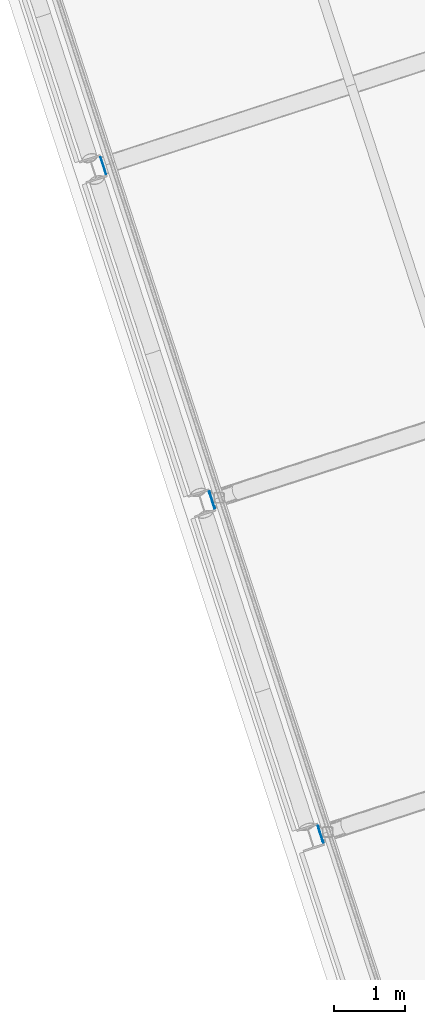
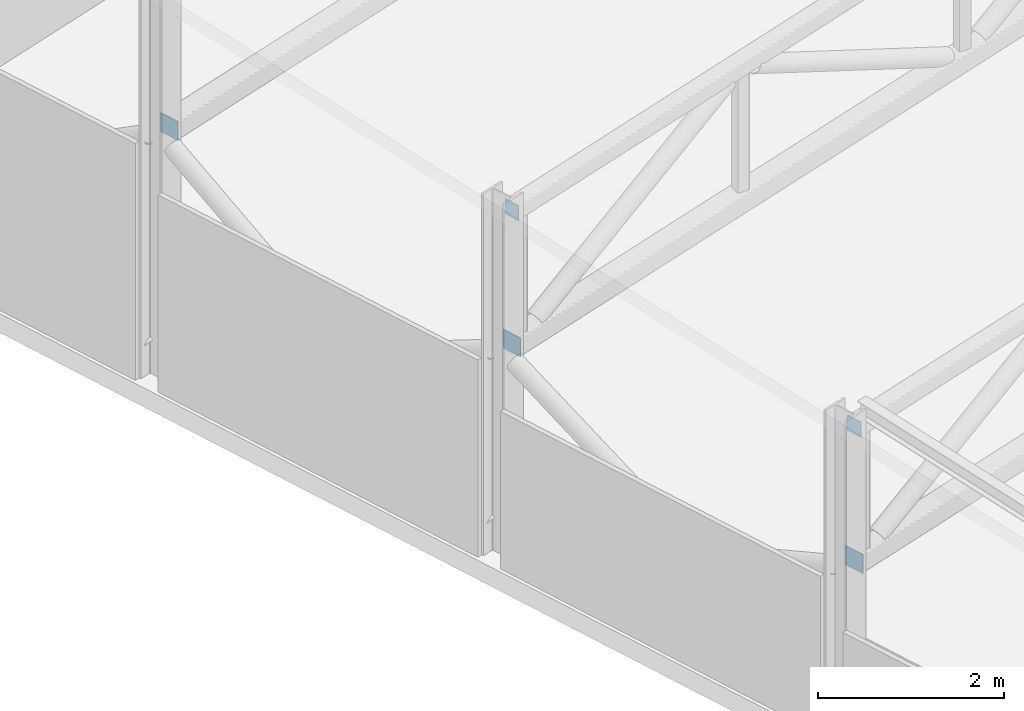
# One storey, part 39 of 49: 5 plates.
"""IFC4 building model written with IfcOpenShell, lengths in metres."""

from ifc_helpers import new_model, si_unit, direction, frame, origin, place, context, subcontext, project, spatial, polyline, outline, extrude, material, layer, layer_set, type_object, element, save


model = new_model("IFC4")

# Units and contexts
model_context = context("Model", 3, precision=1e-05, world=origin(), true_north=direction((0.0, 1.0)))
body_context = subcontext(model_context, "Body", "Model", "MODEL_VIEW")
ifc_project = project(units=[si_unit("LENGTHUNIT", "METRE"), si_unit("AREAUNIT", "SQUARE_METRE"), si_unit("VOLUMEUNIT", "CUBIC_METRE"), si_unit("PLANEANGLEUNIT", "RADIAN"), si_unit("MASSUNIT", "GRAM", prefix="KILO")], contexts=[model_context])

# Site, building, storey
site_placement = place(None, origin())
site = spatial("IfcSite", under=ifc_project, at=site_placement, CompositionType="ELEMENT")
building_placement = place(site_placement, origin())
building = spatial("IfcBuilding", under=site, at=building_placement, Name="Tuart Plaza Theatre", CompositionType="ELEMENT")
storey_placement = place(building_placement, frame((0.0, 0.0, 29.5)))
storey = spatial("IfcBuildingStorey", under=building, at=storey_placement, Name="L07", CompositionType="ELEMENT", Elevation=29.5)

# Plates
ifc_material = material(Name="Steel Grade C350L0", Category="steel")
ifc_layer = layer(ifc_material, 0.010009765625)
ifc_layer_set = layer_set([ifc_layer], Name="PLATE End cap 10 Steel Grade C350L0")
plate_type = type_object("IfcPlateType", Name="PLATE End cap 10 Steel Grade C350L0", PredefinedType="SHEET", material=ifc_layer_set)
plate_1_placement = place(storey_placement, frame((39.93310546875, 73.45361328125, 2.300048828125), z_axis=(-0.951191832008, -0.308600224758, 0.0), x_axis=(-0.308600224758, 0.951191832008, 0.0)))
element("IfcPlate", 1, at=plate_1_placement, inside=storey, type_object=plate_type, Name="EP17", PredefinedType="SHEET", context=body_context, shape_type="SweptSolid", body=[
    extrude(outline(polyline([(0.0, 0.0), (0.2499947547362342, 0.0), (0.2499947547362342, 0.25), (0.0, 0.25), (0.0, 0.0)])), origin(), (0.0, 0.0, -1.0), 0.010009765625),
])
plate_2_placement = place(storey_placement, frame((39.92529296875, 73.477294921875, 4.02490234375), z_axis=(-0.951096855055, -0.308892816854, 0.0), x_axis=(-0.308892816854, 0.951096855055, 0.0)))
element("IfcPlate", 2, at=plate_2_placement, inside=storey, type_object=plate_type, Name="EP19", PredefinedType="SHEET", context=body_context, shape_type="SweptSolid", body=[
    extrude(outline(polyline([(0.0, 0.0), (0.1999644367070575, 0.0), (0.1999644367070575, 0.199951171875), (0.0, 0.199951171875), (0.0, 0.0)])), origin(), (0.0, 0.0, -1.0), 0.010009765625),
])
plate_3_placement = place(storey_placement, frame((38.403564453125, 78.161376953125, 2.8203125), z_axis=(-0.95090484413, -0.309483404096, 0.0), x_axis=(-0.309483404096, 0.95090484413, 0.0)))
element("IfcPlate", 3, at=plate_3_placement, inside=storey, type_object=plate_type, Name="EP21", PredefinedType="SHEET", context=body_context, shape_type="SweptSolid", body=[
    extrude(outline(polyline([(0.0, 0.0), (0.25007020441422584, 0.0), (0.25007020441422584, 0.25), (0.0, 0.25), (0.0, 0.0)])), origin(), (0.0, 0.0, -1.0), 0.010009765625),
])
plate_4_placement = place(storey_placement, frame((38.395751953125, 78.18505859375, 4.545166015625), z_axis=(-0.951096855055, -0.308892816854, 0.0), x_axis=(-0.308892816854, 0.951096855055, 0.0)))
element("IfcPlate", 4, at=plate_4_placement, inside=storey, type_object=plate_type, Name="EP23", PredefinedType="SHEET", context=body_context, shape_type="SweptSolid", body=[
    extrude(outline(polyline([(0.0, 0.0), (0.1999644367070575, 0.0), (0.1999644367070575, 0.199951171875), (0.0, 0.199951171875), (0.0, 0.0)])), origin(), (0.0, 0.0, -1.0), 0.010009765625),
])
plate_5_placement = place(storey_placement, frame((36.873779296875, 82.869140625, 3.340576171875), z_axis=(-0.951191832008, -0.308600224758, 0.0), x_axis=(-0.308600224758, 0.951191832008, 0.0)))
element("IfcPlate", 5, at=plate_5_placement, inside=storey, type_object=plate_type, Name="EP25", PredefinedType="SHEET", context=body_context, shape_type="SweptSolid", body=[
    extrude(outline(polyline([(0.0, 0.0), (0.2499947547362342, 0.0), (0.2499947547362342, 0.25), (0.0, 0.25), (0.0, 0.0)])), origin(), (0.0, 0.0, -1.0), 0.010009765625),
])

save(model, "model.ifc")
